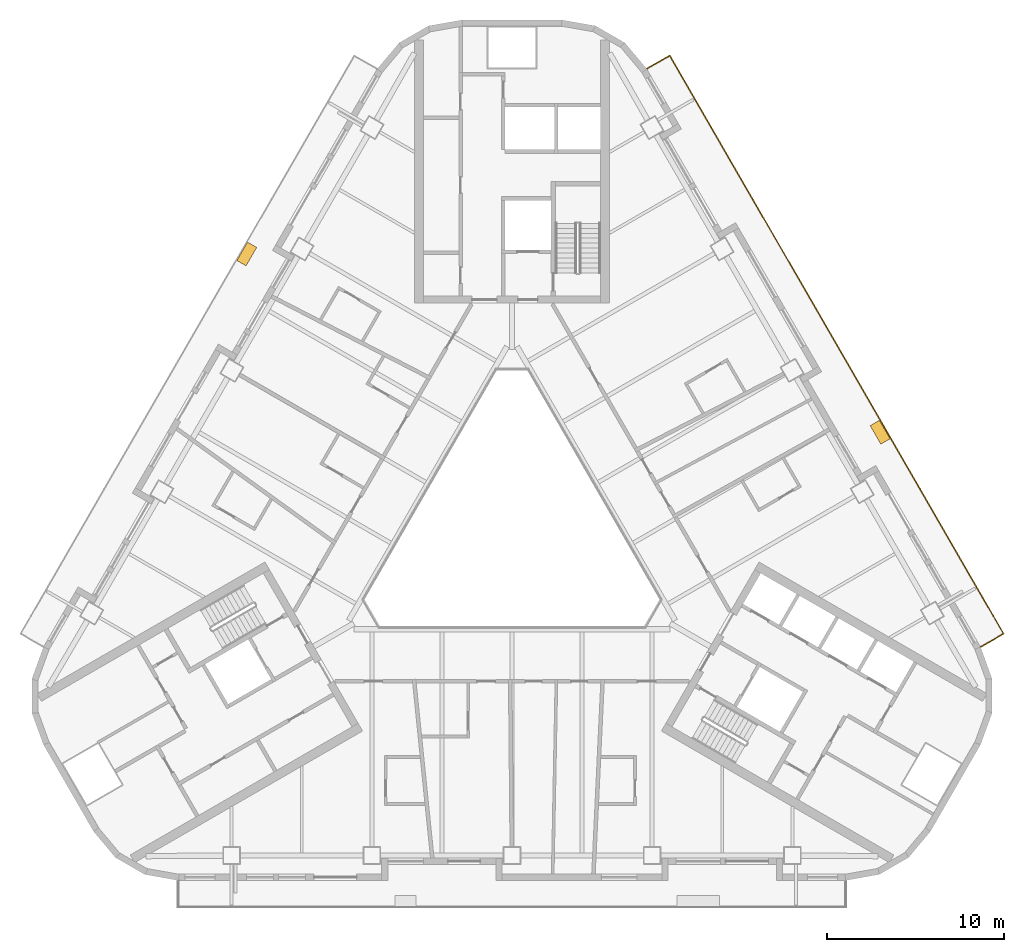
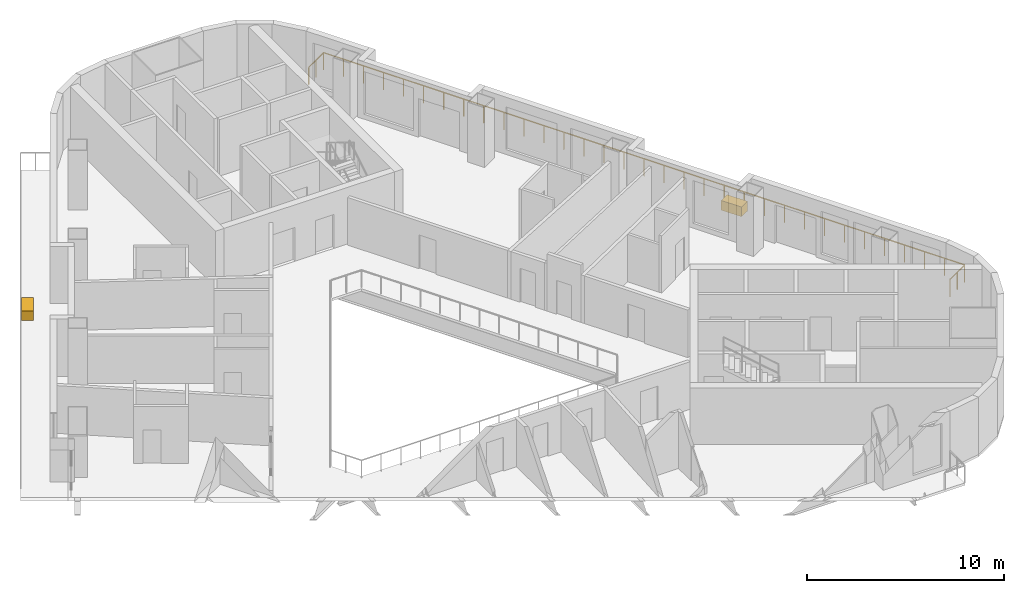
# One storey, part 13 of 14: 2 coverings, 1 railing.
"""IFC4 building model written with IfcOpenShell, lengths in metres."""

from ifc_helpers import new_model, si_unit, direction, frame, origin, origin_2d, place, context, subcontext, project, spatial, rectangle, extrude, material, type_object, element, save


model = new_model("IFC4")

# Units and contexts
model_context = context("Model", 3, precision=1e-05, world=origin(), true_north=direction((0.0, 1.0)))
body_context = subcontext(model_context, "Body", "Model", "MODEL_VIEW")
ifc_project = project(units=[si_unit("LENGTHUNIT", "METRE"), si_unit("AREAUNIT", "SQUARE_METRE"), si_unit("VOLUMEUNIT", "CUBIC_METRE"), si_unit("PLANEANGLEUNIT", "RADIAN"), si_unit("MASSUNIT", "GRAM", prefix="KILO")], contexts=[model_context])

# Site, building, storey
site_placement = place(None, origin())
site = spatial("IfcSite", under=ifc_project, at=site_placement, CompositionType="ELEMENT")
building_placement = place(site_placement, origin())
building = spatial("IfcBuilding", under=site, at=building_placement, Name="Apuvela Tower Hotel", CompositionType="ELEMENT")
storey_placement = place(building_placement, frame((0.0, 0.0, 72.39990234375)))
storey = spatial("IfcBuildingStorey", under=building, at=storey_placement, Name="L15", CompositionType="ELEMENT", Elevation=72.39990234375)

# Railing
ifc_material_1 = material(Name="Stainless steel 316 rail with laminated glass infill", Category="steel")
railing_type = type_object("IfcRailingType", Name="ENV-GUARD-1100", PredefinedType="GUARDRAIL", material=ifc_material_1)
railing_placement = place(storey_placement, frame((26.407958984375, -6.47998046875, 0.0)))
element("IfcRailing", 1, at=railing_placement, inside=storey, type_object=railing_type, Name="Balcony guard NE L15", PredefinedType="GUARDRAIL", context=body_context, shape_type="SweptSolid", body=[
    extrude(rectangle(XDim=0.050048828125, YDim=0.050048828125, at=origin_2d()), frame((0.0, 0.0, 1.0751953125), z_axis=(0.866031096941, 0.499990139034, 0.0), x_axis=(-0.499990139034, 0.866031096941, 0.0)), (0.0, 0.0, 1.0), 1.5),
    extrude(rectangle(XDim=0.050048828125, YDim=0.050048828125, at=origin_2d()), frame((1.299072265625, 0.75, 1.0751953125), z_axis=(-0.500000437506, 0.86602515119, 0.0), x_axis=(-0.86602515119, -0.500000437506, 0.0)), (0.0, 0.0, 1.0), 37.6318359375),
    extrude(rectangle(XDim=0.050048828125, YDim=0.050048828125, at=origin_2d()), frame((-17.516845703125, 33.340087890625, 1.0751953125), z_axis=(-0.86599040064, -0.500060622324, 0.0), x_axis=(0.500060622324, -0.86599040064, 0.0)), (0.0, 0.0, 1.0), 1.499755859375),
    extrude(rectangle(XDim=0.0400390625, YDim=0.0400390625, at=origin_2d()), origin(), (0.0, 0.0, 1.0), 1.050048828125),
    extrude(rectangle(XDim=0.0400390625, YDim=0.0400390625, at=origin_2d()), frame((0.6494140625, 0.375, 0.0)), (0.0, 0.0, 1.0), 1.050048828125),
    extrude(rectangle(XDim=0.0400390625, YDim=0.0400390625, at=origin_2d()), frame((1.299072265625, 0.75, 0.0)), (0.0, 0.0, 1.0), 1.050048828125),
    extrude(rectangle(XDim=0.0400390625, YDim=0.0400390625, at=origin_2d()), frame((0.711181640625, 1.7685546875, 0.0)), (0.0, 0.0, 1.0), 1.050048828125),
    extrude(rectangle(XDim=0.0400390625, YDim=0.0400390625, at=origin_2d()), frame((0.123046875, 2.786865234375, 0.0)), (0.0, 0.0, 1.0), 1.050048828125),
    extrude(rectangle(XDim=0.0400390625, YDim=0.0400390625, at=origin_2d()), frame((-0.46484375, 3.805419921875, 0.0)), (0.0, 0.0, 1.0), 1.050048828125),
    extrude(rectangle(XDim=0.0400390625, YDim=0.0400390625, at=origin_2d()), frame((-1.052978515625, 4.82373046875, 0.0)), (0.0, 0.0, 1.0), 1.050048828125),
    extrude(rectangle(XDim=0.0400390625, YDim=0.0400390625, at=origin_2d()), frame((-1.640869140625, 5.84228515625, 0.0)), (0.0, 0.0, 1.0), 1.050048828125),
    extrude(rectangle(XDim=0.0400390625, YDim=0.0400390625, at=origin_2d()), frame((-2.22900390625, 6.860595703125, 0.0)), (0.0, 0.0, 1.0), 1.050048828125),
    extrude(rectangle(XDim=0.0400390625, YDim=0.0400390625, at=origin_2d()), frame((-2.81689453125, 7.879150390625, 0.0)), (0.0, 0.0, 1.0), 1.050048828125),
    extrude(rectangle(XDim=0.0400390625, YDim=0.0400390625, at=origin_2d()), frame((-3.40478515625, 8.8974609375, 0.0)), (0.0, 0.0, 1.0), 1.050048828125),
    extrude(rectangle(XDim=0.0400390625, YDim=0.0400390625, at=origin_2d()), frame((-3.992919921875, 9.916015625, 0.0)), (0.0, 0.0, 1.0), 1.050048828125),
    extrude(rectangle(XDim=0.0400390625, YDim=0.0400390625, at=origin_2d()), frame((-4.580810546875, 10.934326171875, 0.0)), (0.0, 0.0, 1.0), 1.050048828125),
    extrude(rectangle(XDim=0.0400390625, YDim=0.0400390625, at=origin_2d()), frame((-5.1689453125, 11.952880859375, 0.0)), (0.0, 0.0, 1.0), 1.050048828125),
    extrude(rectangle(XDim=0.0400390625, YDim=0.0400390625, at=origin_2d()), frame((-5.7568359375, 12.97119140625, 0.0)), (0.0, 0.0, 1.0), 1.050048828125),
    extrude(rectangle(XDim=0.0400390625, YDim=0.0400390625, at=origin_2d()), frame((-6.344970703125, 13.98974609375, 0.0)), (0.0, 0.0, 1.0), 1.050048828125),
    extrude(rectangle(XDim=0.0400390625, YDim=0.0400390625, at=origin_2d()), frame((-6.932861328125, 15.008056640625, 0.0)), (0.0, 0.0, 1.0), 1.050048828125),
    extrude(rectangle(XDim=0.0400390625, YDim=0.0400390625, at=origin_2d()), frame((-7.52099609375, 16.026611328125, 0.0)), (0.0, 0.0, 1.0), 1.050048828125),
    extrude(rectangle(XDim=0.0400390625, YDim=0.0400390625, at=origin_2d()), frame((-8.10888671875, 17.044921875, 0.0)), (0.0, 0.0, 1.0), 1.050048828125),
    extrude(rectangle(XDim=0.0400390625, YDim=0.0400390625, at=origin_2d()), frame((-8.69677734375, 18.0634765625, 0.0)), (0.0, 0.0, 1.0), 1.050048828125),
    extrude(rectangle(XDim=0.0400390625, YDim=0.0400390625, at=origin_2d()), frame((-9.284912109375, 19.08203125, 0.0)), (0.0, 0.0, 1.0), 1.050048828125),
    extrude(rectangle(XDim=0.0400390625, YDim=0.0400390625, at=origin_2d()), frame((-9.872802734375, 20.100341796875, 0.0)), (0.0, 0.0, 1.0), 1.050048828125),
    extrude(rectangle(XDim=0.0400390625, YDim=0.0400390625, at=origin_2d()), frame((-10.4609375, 21.118896484375, 0.0)), (0.0, 0.0, 1.0), 1.050048828125),
    extrude(rectangle(XDim=0.0400390625, YDim=0.0400390625, at=origin_2d()), frame((-11.048828125, 22.13720703125, 0.0)), (0.0, 0.0, 1.0), 1.050048828125),
    extrude(rectangle(XDim=0.0400390625, YDim=0.0400390625, at=origin_2d()), frame((-11.636962890625, 23.15576171875, 0.0)), (0.0, 0.0, 1.0), 1.050048828125),
    extrude(rectangle(XDim=0.0400390625, YDim=0.0400390625, at=origin_2d()), frame((-12.224853515625, 24.174072265625, 0.0)), (0.0, 0.0, 1.0), 1.050048828125),
    extrude(rectangle(XDim=0.0400390625, YDim=0.0400390625, at=origin_2d()), frame((-12.81298828125, 25.192626953125, 0.0)), (0.0, 0.0, 1.0), 1.050048828125),
    extrude(rectangle(XDim=0.0400390625, YDim=0.0400390625, at=origin_2d()), frame((-13.40087890625, 26.2109375, 0.0)), (0.0, 0.0, 1.0), 1.050048828125),
    extrude(rectangle(XDim=0.0400390625, YDim=0.0400390625, at=origin_2d()), frame((-13.98876953125, 27.2294921875, 0.0)), (0.0, 0.0, 1.0), 1.050048828125),
    extrude(rectangle(XDim=0.0400390625, YDim=0.0400390625, at=origin_2d()), frame((-14.576904296875, 28.247802734375, 0.0)), (0.0, 0.0, 1.0), 1.050048828125),
    extrude(rectangle(XDim=0.0400390625, YDim=0.0400390625, at=origin_2d()), frame((-15.164794921875, 29.266357421875, 0.0)), (0.0, 0.0, 1.0), 1.050048828125),
    extrude(rectangle(XDim=0.0400390625, YDim=0.0400390625, at=origin_2d()), frame((-15.7529296875, 30.28466796875, 0.0)), (0.0, 0.0, 1.0), 1.050048828125),
    extrude(rectangle(XDim=0.0400390625, YDim=0.0400390625, at=origin_2d()), frame((-16.3408203125, 31.30322265625, 0.0)), (0.0, 0.0, 1.0), 1.050048828125),
    extrude(rectangle(XDim=0.0400390625, YDim=0.0400390625, at=origin_2d()), frame((-16.928955078125, 32.321533203125, 0.0)), (0.0, 0.0, 1.0), 1.050048828125),
    extrude(rectangle(XDim=0.0400390625, YDim=0.0400390625, at=origin_2d()), frame((-17.516845703125, 33.340087890625, 0.0)), (0.0, 0.0, 1.0), 1.050048828125),
    extrude(rectangle(XDim=0.0400390625, YDim=0.0400390625, at=origin_2d()), frame((-18.166259765625, 32.965087890625, 0.0)), (0.0, 0.0, 1.0), 1.050048828125),
    extrude(rectangle(XDim=0.0400390625, YDim=0.0400390625, at=origin_2d()), frame((-18.815673828125, 32.590087890625, 0.0)), (0.0, 0.0, 1.0), 1.050048828125),
])

# Coverings
ifc_material_2 = material(Name="Planting substrate and soil, planted")
covering_type = type_object("IfcCoveringType", Name="ENV-PLANTER-1200x600", PredefinedType="USERDEFINED", material=ifc_material_2)
for number, where, z_axis, x_axis, name in (
    (2, (20.74609375, 5.626708984375, 0.0), (0.0, 0.0, 1.0), (-0.5, 0.866025403784, 0.0), "Planter NE3"),
    (3, (-14.946044921875, 15.672607421875, 0.0), (0.0, 0.0, 1.0), (-0.5, -0.866025403784, 0.0), "Planter NW4"),
):
    element("IfcCovering", number, at=place(storey_placement, frame(where, z_axis=z_axis, x_axis=x_axis)), inside=storey, type_object=covering_type, Name=name, ObjectType="PLANTER", PredefinedType="USERDEFINED", context=body_context, shape_type="SweptSolid", body=[
        extrude(rectangle(XDim=1.199951171875, YDim=0.60009765625, at=origin_2d()), origin(), (0.0, 0.0, 1.0), 0.60009765625),
    ])

save(model, "model.ifc")
